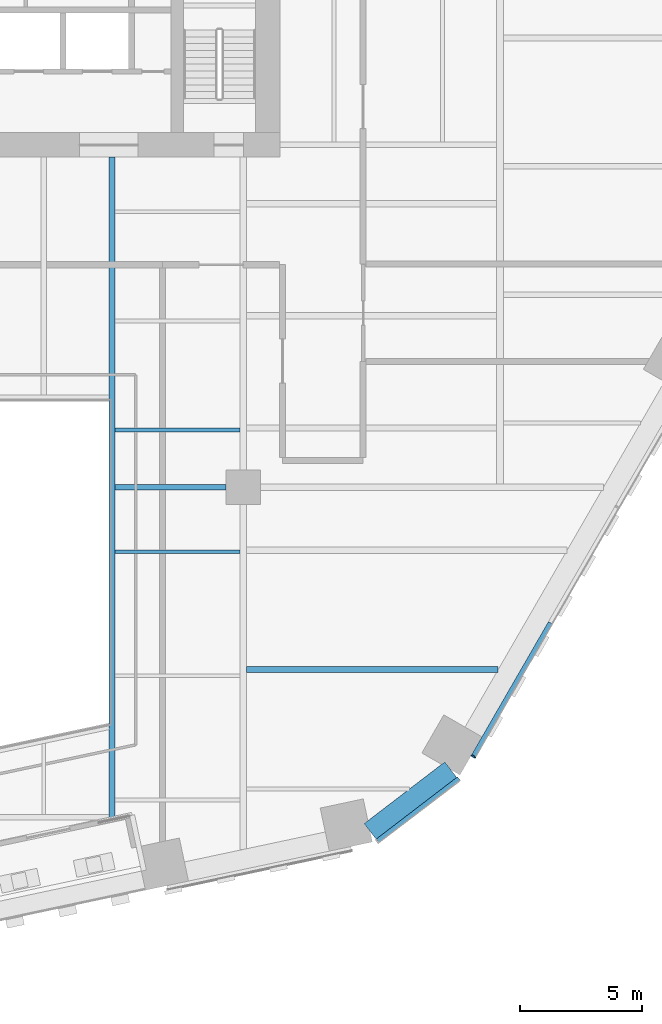
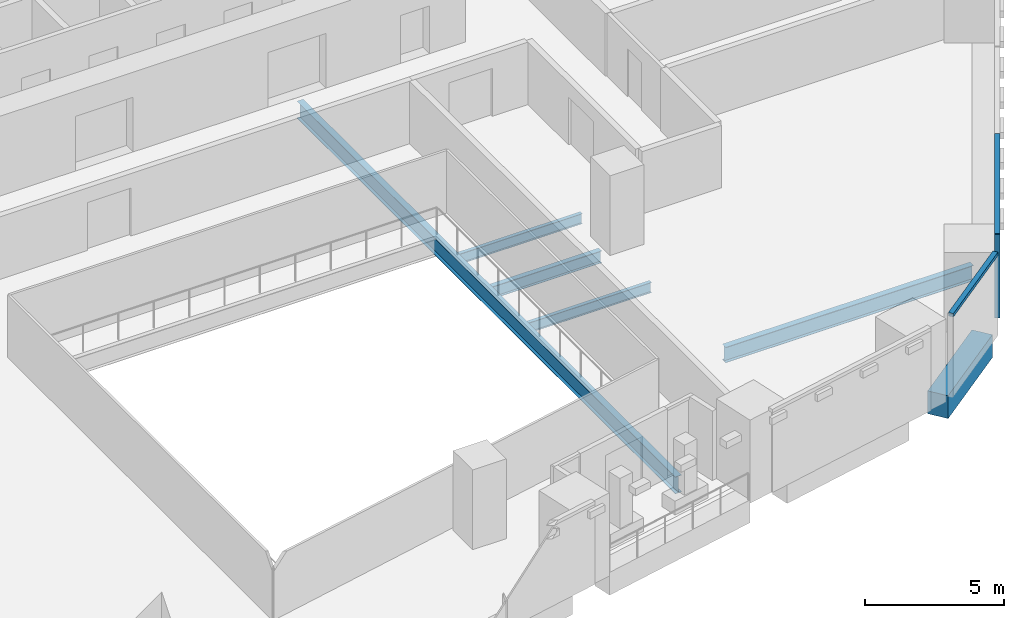
# One storey, part 6 of 31: 6 beams, 3 members, 2 elements without a shape of their own.
"""IFC4 building model written with IfcOpenShell, lengths in metres."""

from ifc_helpers import new_model, si_unit, direction, frame, origin, origin_2d, place, context, subcontext, project, spatial, rectangle, i_section, extrude, material, layer, layer_set, material_profile, profile_set, type_object, element, aggregate, save


model = new_model("IFC4")

# Units and contexts
model_context = context("Model", 3, precision=1e-05, world=origin(), true_north=direction((0.0, 1.0)))
body_context = subcontext(model_context, "Body", "Model", "MODEL_VIEW")
ifc_project = project(units=[si_unit("LENGTHUNIT", "METRE"), si_unit("AREAUNIT", "SQUARE_METRE"), si_unit("VOLUMEUNIT", "CUBIC_METRE"), si_unit("PLANEANGLEUNIT", "RADIAN"), si_unit("MASSUNIT", "GRAM", prefix="KILO")], contexts=[model_context])

# Site, building, storey
site_placement = place(None, origin())
site = spatial("IfcSite", under=ifc_project, at=site_placement, CompositionType="ELEMENT")
building_placement = place(site_placement, origin())
building = spatial("IfcBuilding", under=site, at=building_placement, Name="Isthmus Gate Tower", CompositionType="ELEMENT")
storey_placement = place(building_placement, frame((0.0, 0.0, 39.64990234375)))
storey = spatial("IfcBuildingStorey", under=building, at=storey_placement, Name="L07", CompositionType="ELEMENT", Elevation=39.64990234375)

# Curtain wall, member
ifc_material_1 = material(Name="Aluminium, pale champagne anodised", Category="aluminium")
ifc_layer = layer(ifc_material_1, 0.199951171875)
ifc_layer_set = layer_set([ifc_layer], Name="CW-1 UNITISED CURTAIN WALL 200 DEEP")
curtain_wall_type = type_object("IfcCurtainWallType", Name="CW-1 UNITISED CURTAIN WALL 200 DEEP", PredefinedType="NOTDEFINED", material=ifc_layer_set)
curtain_wall_1_placement = place(storey_placement, origin())
curtain_wall_1 = element("IfcCurtainWall", 1, at=curtain_wall_1_placement, inside=storey, type_object=curtain_wall_type, Name="CW-1 SE L07", PredefinedType="NOTDEFINED")
ifc_material_2 = material(Name="Aluminium, pale champagne anodised", Category="aluminium")
ifc_material_profile_1 = material_profile(ifc_material_2, rectangle(XDim=0.06005859375, YDim=0.199951171875, at=origin_2d()), Name="60x200")
ifc_profile_set_1 = profile_set([ifc_material_profile_1], Name="Aluminium, pale champagne anodised")
member_type_1 = type_object("IfcMemberType", Name="CW-1 MULLION 60 X 200", PredefinedType="MULLION", material=ifc_profile_set_1)
member_1_placement = place(storey_placement, frame((22.91357421875, -24.5126953125, 0.0), z_axis=(0.0, 0.0, 1.0), x_axis=(0.5, 0.866025403784, 0.0)))
member_1 = element("IfcMember", 2, at=member_1_placement, type_object=member_type_1, Name="CW-1 mullion", PredefinedType="MULLION", context=body_context, shape_type="SweptSolid", body=[
    extrude(rectangle(XDim=0.06005859375, YDim=0.199951171875, at=origin_2d()), origin(), (0.0, 0.0, 1.0), 3.650146484375),
])

curtain_wall_2_placement = place(storey_placement, origin())
curtain_wall_2 = element("IfcCurtainWall", 3, at=curtain_wall_2_placement, inside=storey, type_object=curtain_wall_type, Name="CW-1 S-SE L07", PredefinedType="NOTDEFINED")
ifc_material_3 = material(Name="Aluminium, pale champagne anodised", Category="aluminium")
ifc_material_profile_2 = material_profile(ifc_material_3, rectangle(XDim=0.199951171875, YDim=0.14990234375, at=origin_2d()), Name="200x150")
ifc_profile_set_2 = profile_set([ifc_material_profile_2], Name="Aluminium, pale champagne anodised")
member_type_2 = type_object("IfcMemberType", Name="CW-1 TRANSOM 200 X 150", PredefinedType="USERDEFINED", material=ifc_profile_set_2)
member_2_placement = place(storey_placement, frame((19.002685546875, -27.96435546875, 3.5751953125), z_axis=(0.794175498212, 0.607688471209, 0.0), x_axis=(-0.607688471209, 0.794175498212, 0.0)))
member_2 = element("IfcMember", 4, at=member_2_placement, type_object=member_type_2, Name="CW-1 transom", ObjectType="TRANSOM", PredefinedType="USERDEFINED", context=body_context, shape_type="SweptSolid", body=[
    extrude(rectangle(XDim=0.199951171875, YDim=0.14990234375, at=origin_2d()), origin(), (0.0, 0.0, 1.0), 4.181396484375),
])
aggregate(curtain_wall_2, [member_2])

# Member
member_3_placement = place(storey_placement, frame((22.928466796875, -24.486572265625, 3.5751953125), z_axis=(0.50002426866, 0.866011391814, 0.0), x_axis=(-0.866011391814, 0.50002426866, 0.0)))
member_3 = element("IfcMember", 5, at=member_3_placement, type_object=member_type_2, Name="CW-1 transom", ObjectType="TRANSOM", PredefinedType="USERDEFINED", context=body_context, shape_type="SweptSolid", body=[
    extrude(rectangle(XDim=0.199951171875, YDim=0.14990234375, at=origin_2d()), origin(), (0.0, 0.0, 1.0), 6.278564453125),
])

aggregate(curtain_wall_1, [member_1, member_3])

# Beams
ifc_material_4 = material(Name="Concrete f'c 70 MPa", Category="concrete")
ifc_material_profile_3 = material_profile(ifc_material_4, rectangle(XDim=0.800048828125, YDim=1.0, at=origin_2d()), Name="RC 800X1000")
ifc_profile_set_3 = profile_set([ifc_material_profile_3], Name="Concrete f'c 70 MPa")
beam_type_1 = type_object("IfcBeamType", Name="RC SPANDREL 800 X 1000", PredefinedType="SPANDREL", material=ifc_profile_set_3)
beam_1_placement = place(storey_placement, frame((21.98681640625, -25.051513671875, -0.5), z_axis=(-0.794205941875, -0.607648682949, 0.0), x_axis=(0.607648682949, -0.794205941875, 0.0)))
element("IfcBeam", 6, at=beam_1_placement, inside=storey, type_object=beam_type_1, Name="str-spandrel-L07-09", PredefinedType="SPANDREL", context=body_context, shape_type="SweptSolid", body=[
    extrude(rectangle(XDim=0.800048828125, YDim=1.0, at=origin_2d()), origin(), (0.0, 0.0, 1.0), 4.15234375),
])
ifc_material_5 = material(Name="Structural steel ASTM A992 Gr 50", Category="steel")
ifc_material_profile_4 = material_profile(ifc_material_5, i_section(OverallWidth=0.15234375, OverallDepth=0.45068359375, WebThickness=0.0078125, FlangeThickness=0.010986328125, at=origin_2d()), Name="W18X35")
ifc_profile_set_4 = profile_set([ifc_material_profile_4], Name="Structural steel ASTM A992 Gr 50")
beam_type_2 = type_object("IfcBeamType", Name="STEEL FLOOR BEAM W18X35", PredefinedType="JOIST", material=ifc_profile_set_4)
beam_2_placement = place(storey_placement, frame((8.263427734375, -11.16259765625, -0.375244140625), z_axis=(1.0, 0.0, 0.0), x_axis=(0.0, 1.0, 0.0)))
element("IfcBeam", 7, at=beam_2_placement, inside=storey, type_object=beam_type_2, Name="str-beam-L07-27-00", PredefinedType="JOIST", context=body_context, shape_type="SweptSolid", body=[
    extrude(i_section(OverallWidth=0.15234375, OverallDepth=0.45068359375, WebThickness=0.0078125, FlangeThickness=0.010986328125, at=origin_2d()), origin(), (0.0, 0.0, 1.0), 5.104736328125),
])
beam_3_placement = place(storey_placement, frame((8.263427734375, -16.141357421875, -0.375244140625), z_axis=(1.0, 0.0, 0.0), x_axis=(0.0, 1.0, 0.0)))
element("IfcBeam", 8, at=beam_3_placement, inside=storey, type_object=beam_type_2, Name="str-beam-L07-28-02", PredefinedType="JOIST", context=body_context, shape_type="SweptSolid", body=[
    extrude(i_section(OverallWidth=0.15234375, OverallDepth=0.45068359375, WebThickness=0.0078125, FlangeThickness=0.010986328125, at=origin_2d()), origin(), (0.0, 0.0, 1.0), 5.103271484375),
])
ifc_material_6 = material(Name="Structural steel ASTM A992 Gr 50", Category="steel")
ifc_material_profile_5 = material_profile(ifc_material_6, i_section(OverallWidth=0.25390625, OverallDepth=0.679443359375, WebThickness=0.010986328125, FlangeThickness=0.015869140625, at=origin_2d()), Name="W27X84")
ifc_profile_set_5 = profile_set([ifc_material_profile_5], Name="Structural steel ASTM A992 Gr 50")
beam_type_3 = type_object("IfcBeamType", Name="STEEL FLOOR BEAM W27X84", PredefinedType="JOIST", material=ifc_profile_set_5)
beam_4_placement = place(storey_placement, frame((13.63330078125, -20.958740234375, -0.489501953125), z_axis=(1.0, 0.0, 0.0), x_axis=(0.0, 1.0, 0.0)))
element("IfcBeam", 9, at=beam_4_placement, inside=storey, type_object=beam_type_3, Name="str-beam-L07-33-01", PredefinedType="JOIST", context=body_context, shape_type="SweptSolid", body=[
    extrude(i_section(OverallWidth=0.25390625, OverallDepth=0.679443359375, WebThickness=0.010986328125, FlangeThickness=0.015869140625, at=origin_2d()), origin(), (0.0, 0.0, 1.0), 10.292724609375),
])
ifc_material_7 = material(Name="Structural steel ASTM A992 Gr 50", Category="steel")
ifc_material_profile_6 = material_profile(ifc_material_7, i_section(OverallWidth=0.20947265625, OverallDepth=0.533447265625, WebThickness=0.009521484375, FlangeThickness=0.015869140625, at=origin_2d()), Name="W21X62")
ifc_profile_set_6 = profile_set([ifc_material_profile_6], Name="Structural steel ASTM A992 Gr 50")
beam_type_4 = type_object("IfcBeamType", Name="STEEL GIRDER W21X62", PredefinedType="BEAM", material=ifc_profile_set_6)
beam_5_placement = place(storey_placement, frame((8.263427734375, -13.5, -0.41650390625), z_axis=(1.0, 0.0, 0.0), x_axis=(0.0, 1.0, 0.0)))
element("IfcBeam", 10, at=beam_5_placement, inside=storey, type_object=beam_type_4, Name="str-girder-L07-07", PredefinedType="BEAM", context=body_context, shape_type="SweptSolid", body=[
    extrude(i_section(OverallWidth=0.20947265625, OverallDepth=0.533447265625, WebThickness=0.009521484375, FlangeThickness=0.015869140625, at=origin_2d()), origin(), (0.0, 0.0, 1.0), 4.53662109375),
])
ifc_material_8 = material(Name="Structural steel ASTM A992 Gr 50", Category="steel")
ifc_material_profile_7 = material_profile(ifc_material_8, i_section(OverallWidth=0.263427734375, OverallDepth=0.749267578125, WebThickness=0.0126953125, FlangeThickness=0.015869140625, at=origin_2d()), Name="W30X90")
ifc_profile_set_7 = profile_set([ifc_material_profile_7], Name="Structural steel ASTM A992 Gr 50")
beam_type_5 = type_object("IfcBeamType", Name="STEEL TRIMMER W30X90", PredefinedType="BEAM", material=ifc_profile_set_7)
beam_6_placement = place(storey_placement, frame((8.1318359375, -27.20458984375, -0.524658203125), z_axis=(0.0, 1.0, 0.0), x_axis=(-1.0, 0.0, 0.0)))
element("IfcBeam", 11, at=beam_6_placement, inside=storey, type_object=beam_type_5, Name="str-trimmer-L07-01", PredefinedType="BEAM", context=body_context, shape_type="SweptSolid", body=[
    extrude(i_section(OverallWidth=0.263427734375, OverallDepth=0.749267578125, WebThickness=0.0126953125, FlangeThickness=0.015869140625, at=origin_2d()), origin(), (0.0, 0.0, 1.0), 27.20458984375),
])

save(model, "model.ifc")
